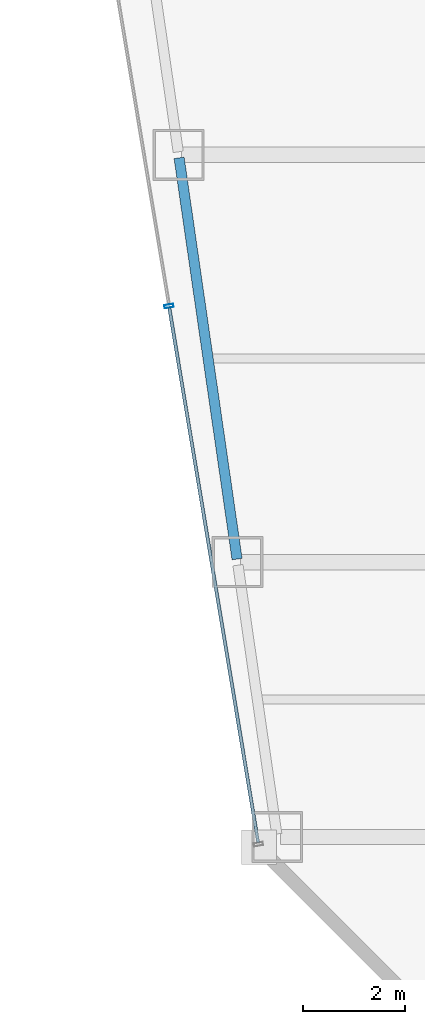
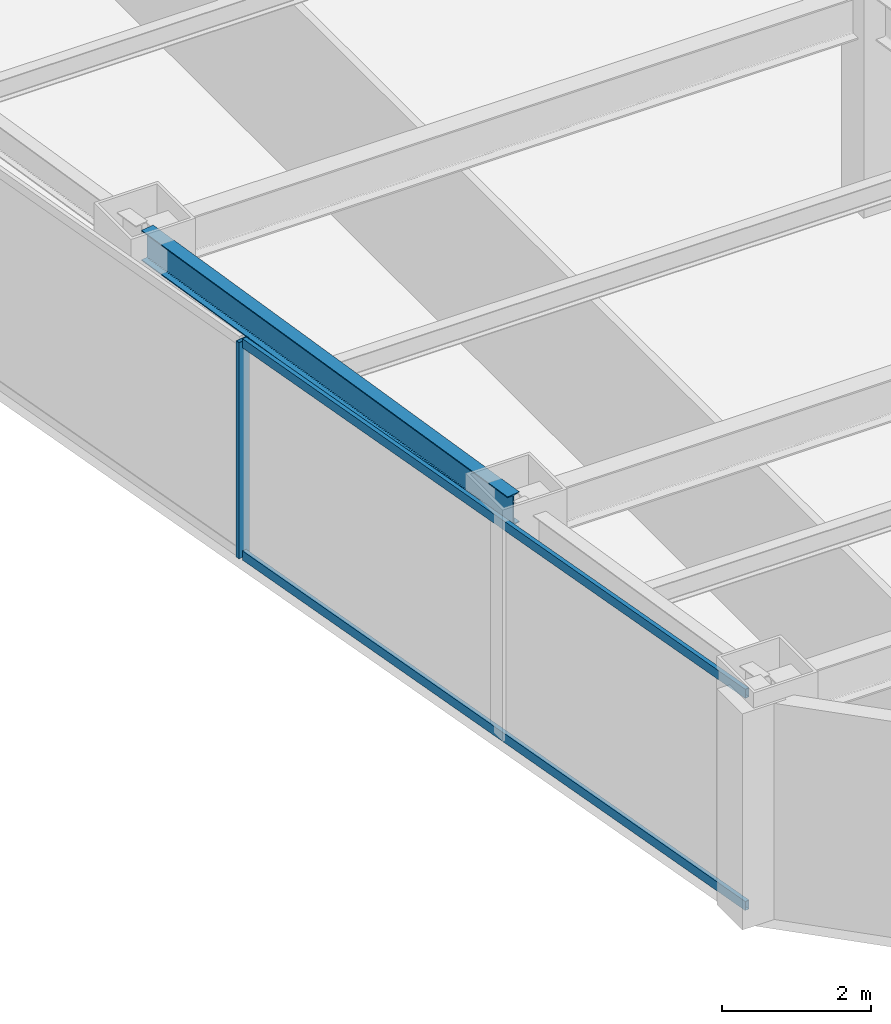
# One storey, part 3 of 36: 3 members, 1 beam, 1 element without a shape of its own.
"""IFC4 building model written with IfcOpenShell, lengths in metres."""

import ifcopenshell
import ifcopenshell.guid

model = None  # the IFC model being written
_history = None  # IfcOwnerHistory: only IFC2X3 demands one
_inside = {}  # id of a spatial element -> (the spatial element, [elements in it])
_under = {}  # id of a project, library or spatial element -> (it, [spatial elements below it])
_declared = {}  # id of a project -> (the project, [libraries it declares])
_typed = {}  # id of a type object -> (the type object, [elements of that type])
_made_of = {}  # id of a material, layer set ... -> (it, [elements and type objects made of it])


def new_model(schema):
    """Start an empty IFC model of exactly this schema.

    Asked for "IFC4X3", IfcOpenShell would pick the latest addendum, in which some entities
    have other attributes; the version numbers below select the first issue.
    IFC2X3 requires an IfcOwnerHistory on every rooted entity: one is made here for all.
    """
    global model, _history
    if schema == "IFC4X3":
        model = ifcopenshell.file(schema_version=(4, 3, 0, 0))
    else:
        model = ifcopenshell.file(schema=schema)
    _inside.clear()
    _under.clear()
    _declared.clear()
    _typed.clear()
    _made_of.clear()
    _history = None
    if model.schema == "IFC2X3":
        org = make("IfcOrganization", Name="unknown")
        user = make(
            "IfcPersonAndOrganization",
            ThePerson=make("IfcPerson", FamilyName="unknown"),
            TheOrganization=org,
        )
        app = make(
            "IfcApplication",
            ApplicationDeveloper=org,
            Version="unknown",
            ApplicationFullName="unknown",
            ApplicationIdentifier="unknown",
        )
        _history = make(
            "IfcOwnerHistory",
            OwningUser=user,
            OwningApplication=app,
            ChangeAction="ADDED",
            CreationDate=0,
        )
    return model


def make(cls, **values):
    """One entity of the class cls with the attributes given. An attribute that is None is left unset."""
    return model.create_entity(
        cls, **{name: value for name, value in values.items() if value is not None}
    )


def rooted(cls, **values):
    """An entity with a GlobalId (a new one), such as an element, a storey or a relation."""
    return make(cls, GlobalId=ifcopenshell.guid.new(), OwnerHistory=_history, **values)


def si_unit(unit_type, name, prefix=None):
    """IfcSIUnit, for example si_unit("LENGTHUNIT", "METRE", prefix="MILLI")."""
    return make("IfcSIUnit", UnitType=unit_type, Prefix=prefix, Name=name)


def assignment(units):
    """IfcUnitAssignment: the units of a project."""
    return None if units is None else make("IfcUnitAssignment", Units=units)


def point(xyz):
    """IfcCartesianPoint."""
    return None if xyz is None else make("IfcCartesianPoint", Coordinates=xyz)


def direction(xyz):
    """IfcDirection."""
    return None if xyz is None else make("IfcDirection", DirectionRatios=xyz)


def frame(location, z_axis=None, x_axis=None):
    """IfcAxis2Placement3D, a coordinate frame: its origin and axes. An axis left out is left unset."""
    return make(
        "IfcAxis2Placement3D",
        Location=point(location),
        Axis=direction(z_axis),
        RefDirection=direction(x_axis),
    )


def frame_2d(location, x_axis=None):
    """IfcAxis2Placement2D, a coordinate frame in the plane: its origin and x axis."""
    return make(
        "IfcAxis2Placement2D", Location=point(location), RefDirection=direction(x_axis)
    )


def origin():
    """The frame at (0, 0, 0) with its axes left unset."""
    return frame((0.0, 0.0, 0.0))


def origin_2d():
    """The frame at (0, 0) in the plane with its x axis left unset."""
    return frame_2d((0.0, 0.0))


def place(relative_to, where):
    """IfcLocalPlacement: puts the frame where relative to a parent placement (None: the world)."""
    return make(
        "IfcLocalPlacement", PlacementRelTo=relative_to, RelativePlacement=where
    )


def context(
    kind, dimensions, precision=None, world=None, true_north=None, identifier=None
):
    """IfcGeometricRepresentationContext, for example the 3D "Model" context."""
    return make(
        "IfcGeometricRepresentationContext",
        ContextIdentifier=identifier,
        ContextType=kind,
        CoordinateSpaceDimension=dimensions,
        Precision=precision,
        WorldCoordinateSystem=world,
        TrueNorth=true_north,
    )


def subcontext(parent, identifier, kind, view, scale=None):
    """IfcGeometricRepresentationSubContext, for example "Body" below "Model"."""
    return make(
        "IfcGeometricRepresentationSubContext",
        ContextIdentifier=identifier,
        ContextType=kind,
        ParentContext=parent,
        TargetScale=scale,
        TargetView=view,
    )


def project(units=None, contexts=None):
    """IfcProject with its units and contexts."""
    return rooted(
        "IfcProject",
        Name="project",
        RepresentationContexts=contexts,
        UnitsInContext=assignment(units),
    )


def spatial(cls, under=None, at=None, **own):
    """A site, building, storey or space (cls), placed at a placement, below another one or the project."""
    s = rooted(cls, ObjectPlacement=at, **own)
    if under is not None:
        _under.setdefault(under.id(), (under, []))[1].append(s)
    return s


def profile(cls, at=None, kind="AREA", **sizes):
    """A parametric profile (cls). Its sizes go by their IFC names, for example OverallWidth=200.0."""
    return make(cls, ProfileType=kind, Position=at, **sizes)


def hollow_rectangle(**sizes):
    """IfcRectangleHollowProfileDef."""
    return profile("IfcRectangleHollowProfileDef", **sizes)


def i_section(**sizes):
    """IfcIShapeProfileDef."""
    return profile("IfcIShapeProfileDef", **sizes)


def extrude(swept, where, along, depth):
    """IfcExtrudedAreaSolid: the profile swept, set in the frame where, extruded along a direction by depth."""
    return make(
        "IfcExtrudedAreaSolid",
        SweptArea=swept,
        Position=where,
        ExtrudedDirection=direction(along),
        Depth=depth,
    )


def shape(context_of_items, identifier, shape_type, items):
    """IfcShapeRepresentation: the items that make up one representation, for example the "Body"."""
    return make(
        "IfcShapeRepresentation",
        ContextOfItems=context_of_items,
        RepresentationIdentifier=identifier,
        RepresentationType=shape_type,
        Items=items,
    )


def material(Name=None, Category=None):
    """IfcMaterial."""
    return make("IfcMaterial", Name=Name, Category=Category)


def material_profile(
    of_material, cross_section, Name=None, Category=None, Priority=None
):
    """IfcMaterialProfile: a cross section and its material."""
    return make(
        "IfcMaterialProfile",
        Name=Name,
        Material=of_material,
        Profile=cross_section,
        Priority=Priority,
        Category=Category,
    )


def profile_set(profiles, Name=None, composite=None):
    """IfcMaterialProfileSet."""
    return make(
        "IfcMaterialProfileSet",
        Name=Name,
        MaterialProfiles=profiles,
        CompositeProfile=composite,
    )


def made_of(thing, what):
    """Note that an element or type object is made of a material, layer set ...; save() writes the relation."""
    if what is not None:
        _made_of.setdefault(what.id(), (what, []))[1].append(thing)
    return thing


def type_object(cls, material=None, **own):
    """A type object (cls), such as IfcWallType, which elements share."""
    return made_of(rooted(cls, **own), material)


def element(
    cls,
    number,
    at=None,
    inside=None,
    cuts=None,
    type_object=None,
    material=None,
    context=None,
    identifier="Body",
    shape_type=None,
    held_by="IfcProductDefinitionShape",
    body=None,
    shapes=None,
    **own,
):
    """One element of the class cls, such as IfcWall. Its Tag is "e" and its number.

    at: its placement. inside: the storey or other place that contains it. cuts: it is an
    opening in that element (IfcRelVoidsElement). A single representation is given by context,
    identifier, shape_type and body (its items); several are given by shapes. held_by: the class
    of the entity that holds the representations. save() writes the other relations.
    """
    e = rooted(cls, Tag="e%d" % number, ObjectPlacement=at, **own)
    if body is not None:
        shapes = [shape(context, identifier, shape_type, body)]
    if shapes is not None:
        e.Representation = make(held_by, Representations=shapes)
    if inside is not None:
        _inside.setdefault(inside.id(), (inside, []))[1].append(e)
    if cuts is not None:
        rooted(
            "IfcRelVoidsElement", RelatingBuildingElement=cuts, RelatedOpeningElement=e
        )
    if type_object is not None:
        _typed.setdefault(type_object.id(), (type_object, []))[1].append(e)
    return made_of(e, material)


def aggregate(whole, parts):
    """IfcRelAggregates: a whole, such as a stair, and the parts it consists of."""
    return rooted("IfcRelAggregates", RelatingObject=whole, RelatedObjects=parts)


def save(model, path):
    """Write the relations noted so far, then the file.

    IfcRelAggregates (storeys below a building ...), IfcRelContainedInSpatialStructure (elements
    in a storey), IfcRelDefinesByType, IfcRelAssociatesMaterial and IfcRelDeclares: one each for
    every whole, place, type object, material and project.
    """
    for whole, parts in _under.values():
        aggregate(whole, parts)
    for where, things in _inside.values():
        rooted(
            "IfcRelContainedInSpatialStructure",
            RelatedElements=things,
            RelatingStructure=where,
        )
    for kind, things in _typed.values():
        rooted("IfcRelDefinesByType", RelatedObjects=things, RelatingType=kind)
    for what, things in _made_of.values():
        rooted("IfcRelAssociatesMaterial", RelatedObjects=things, RelatingMaterial=what)
    for by, libraries in _declared.values():
        rooted("IfcRelDeclares", RelatingContext=by, RelatedDefinitions=libraries)
    model.write(path)


model = new_model("IFC4")

# Units and contexts
model_context = context("Model", 3, precision=1e-05, world=origin(), true_north=direction((0.0, 1.0)))
body_context = subcontext(model_context, "Body", "Model", "MODEL_VIEW")
ifc_project = project(units=[si_unit("LENGTHUNIT", "METRE"), si_unit("AREAUNIT", "SQUARE_METRE"), si_unit("VOLUMEUNIT", "CUBIC_METRE"), si_unit("PLANEANGLEUNIT", "RADIAN"), si_unit("MASSUNIT", "GRAM", prefix="KILO")], contexts=[model_context])

# Site, building, storey
site_placement = place(None, origin())
site = spatial("IfcSite", under=ifc_project, at=site_placement, CompositionType="ELEMENT")
building_placement = place(site_placement, origin())
building = spatial("IfcBuilding", under=site, at=building_placement, Name="Saevonmaru Cultural Tower", CompositionType="ELEMENT")
storey_placement = place(building_placement, frame((0.0, 0.0, 156.199951171875)))
storey = spatial("IfcBuildingStorey", under=building, at=storey_placement, Name="L34", CompositionType="ELEMENT", Elevation=156.199951171875)

# Beam
ifc_material_1 = material(Name="Steel SM355", Category="steel")
ifc_material_profile_1 = material_profile(ifc_material_1, i_section(OverallWidth=0.199951171875, OverallDepth=0.5, WebThickness=0.010009765625, FlangeThickness=0.01611328125, FilletRadius=0.02001953125, at=origin_2d()), Name="H-500x200x10x16")
ifc_profile_set_1 = profile_set([ifc_material_profile_1], Name="Steel SM355")
beam_type = type_object("IfcBeamType", Name="BM-SP-H500", PredefinedType="SPANDREL", material=ifc_profile_set_1)
beam_placement = place(storey_placement, frame((10.619384765625, 16.059326171875, 3.300048828125), z_axis=(-0.142992129437, 0.989723825579, 0.0), x_axis=(-0.989723825579, -0.142992129437, 0.0)))
element("IfcBeam", 1, at=beam_placement, inside=storey, type_object=beam_type, Name="L34 West Splayed Spandrel 2", PredefinedType="SPANDREL", context=body_context, shape_type="SweptSolid", body=[
    extrude(i_section(OverallWidth=0.199951171875, OverallDepth=0.5, WebThickness=0.010009765625, FlangeThickness=0.01611328125, FilletRadius=0.02001953125, at=origin_2d()), origin(), (0.0, 0.0, 1.0), 7.963134765625),
])

# Curtain wall, members
ifc_material_2 = material(Name="Satin Bronze Anodised Aluminium", Category="aluminium")
curtain_wall_type = type_object("IfcCurtainWallType", Name="CW-TYP-A", PredefinedType="NOTDEFINED", material=ifc_material_2)
curtain_wall_placement = place(storey_placement, origin())
curtain_wall = element("IfcCurtainWall", 2, at=curtain_wall_placement, inside=storey, type_object=curtain_wall_type, Name="L34 Unitised Curtain Wall E12", PredefinedType="NOTDEFINED")
ifc_material_profile_2 = material_profile(ifc_material_2, hollow_rectangle(XDim=0.06494140625, YDim=0.179931640625, WallThickness=0.00390625, at=origin_2d()), Name="ALU-MULL-180x65x4")
ifc_profile_set_2 = profile_set([ifc_material_profile_2], Name="Satin Bronze Anodised Aluminium")
member_type_1 = type_object("IfcMemberType", Name="ML-CW-180x65", PredefinedType="MULLION", material=ifc_profile_set_2)
member_1_placement = place(storey_placement, frame((9.28173828125, 21.029541015625, 0.0), z_axis=(0.0, 0.0, 1.0), x_axis=(0.163998702345, -0.986460554523, 0.0)))
member_1 = element("IfcMember", 3, at=member_1_placement, type_object=member_type_1, Name="CW-TW-L34-E12 mullion 4", PredefinedType="MULLION", context=body_context, shape_type="SweptSolid", body=[
    extrude(hollow_rectangle(XDim=0.06494140625, YDim=0.179931640625, WallThickness=0.00390625, at=origin_2d()), origin(), (0.0, 0.0, 1.0), 3.550048828125),
])
ifc_material_profile_3 = material_profile(ifc_material_2, hollow_rectangle(XDim=0.06494140625, YDim=0.14990234375, WallThickness=0.00390625, at=origin_2d()), Name="ALU-TRAN-150x65x4")
ifc_profile_set_3 = profile_set([ifc_material_profile_3], Name="Satin Bronze Anodised Aluminium")
member_type_2 = type_object("IfcMemberType", Name="TR-CW-150x65", PredefinedType="USERDEFINED", material=ifc_profile_set_3)
member_2_placement = place(storey_placement, frame((9.287109375, 20.99755859375, 0.032470703125), z_axis=(0.163990079074, -0.9864619881, 0.0), x_axis=(0.9864619881, 0.163990079074, 0.0)))
member_2 = element("IfcMember", 4, at=member_2_placement, type_object=member_type_2, Name="CW-TW-L34-E12 transom 4.1", ObjectType="TRANSOM", PredefinedType="USERDEFINED", context=body_context, shape_type="SweptSolid", body=[
    extrude(hollow_rectangle(XDim=0.06494140625, YDim=0.14990234375, WallThickness=0.00390625, at=origin_2d()), origin(), (0.0, 0.0, 1.0), 10.650634765625),
])
member_3_placement = place(storey_placement, frame((9.287109375, 20.99755859375, 3.517578125), z_axis=(0.163990079074, -0.9864619881, 0.0), x_axis=(0.9864619881, 0.163990079074, 0.0)))
member_3 = element("IfcMember", 5, at=member_3_placement, type_object=member_type_2, Name="CW-TW-L34-E12 transom 4.2", ObjectType="TRANSOM", PredefinedType="USERDEFINED", context=body_context, shape_type="SweptSolid", body=[
    extrude(hollow_rectangle(XDim=0.06494140625, YDim=0.14990234375, WallThickness=0.00390625, at=origin_2d()), origin(), (0.0, 0.0, 1.0), 10.650634765625),
])
aggregate(curtain_wall, [member_1, member_2, member_3])

save(model, "model.ifc")
